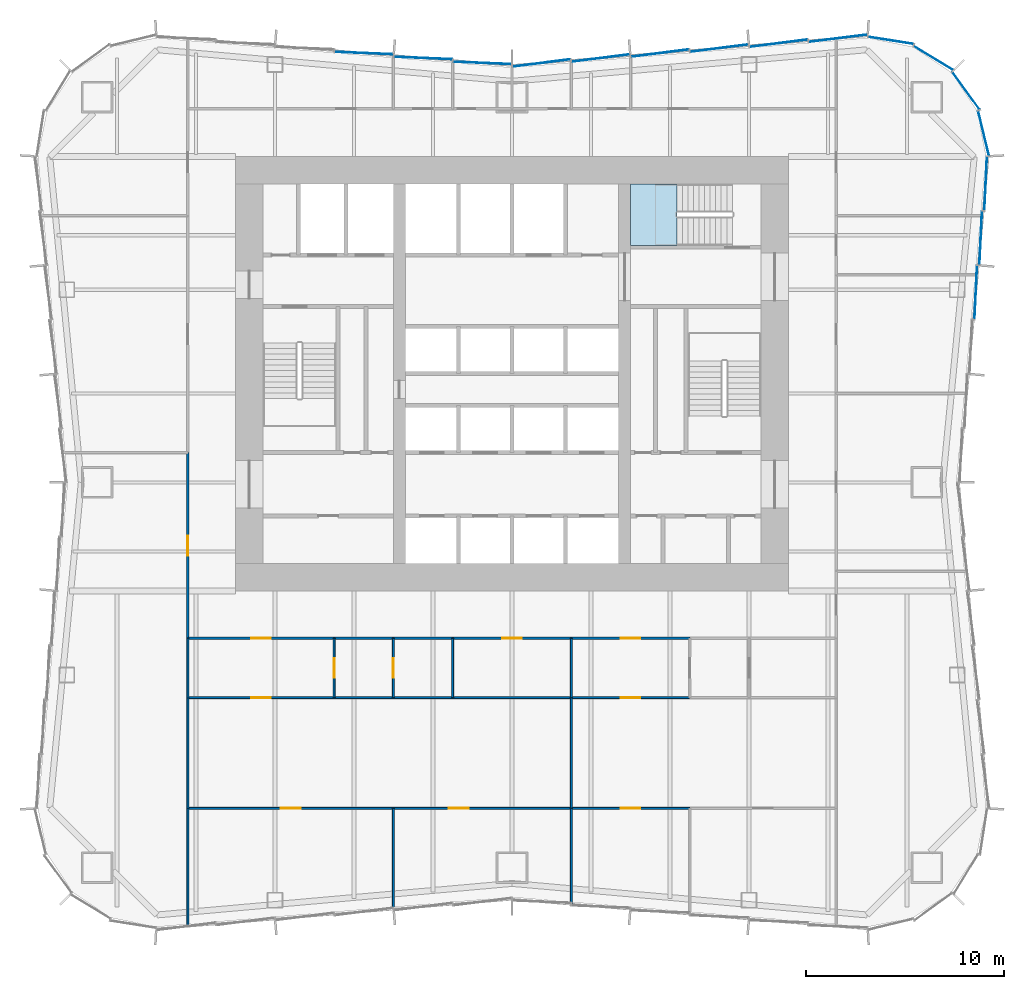
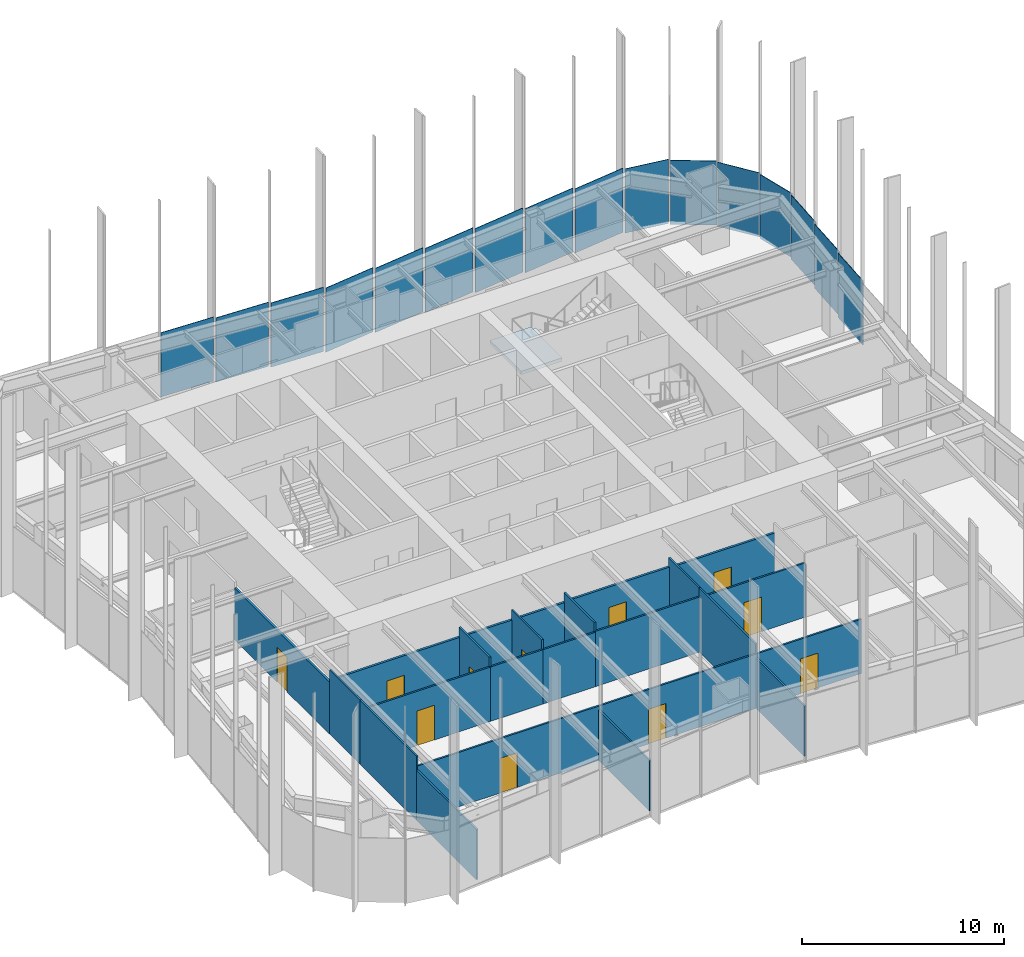
# One storey, part 9 of 13: 24 walls, 16 plates, 11 doors, 1 slab, 11 openings, 4 elements without a shape of their own.
"""IFC4 building model written with IfcOpenShell, lengths in metres."""

from ifc_helpers import new_model, si_unit, direction, frame, frame_2d, origin, origin_2d, place, context, subcontext, project, spatial, polyline, rectangle, outline, extrude, material, layer, layer_set, type_object, element, fill, aggregate, save


model = new_model("IFC4")

# Units and contexts
model_context = context("Model", 3, precision=1e-05, world=origin(), true_north=direction((0.0, 1.0)))
body_context = subcontext(model_context, "Body", "Model", "MODEL_VIEW")
ifc_project = project(units=[si_unit("LENGTHUNIT", "METRE"), si_unit("AREAUNIT", "SQUARE_METRE"), si_unit("VOLUMEUNIT", "CUBIC_METRE"), si_unit("PLANEANGLEUNIT", "RADIAN"), si_unit("MASSUNIT", "GRAM", prefix="KILO")], contexts=[model_context])

# Site, building, storey
site_placement = place(None, origin())
site = spatial("IfcSite", under=ifc_project, at=site_placement, CompositionType="ELEMENT")
building_placement = place(site_placement, origin())
building = spatial("IfcBuilding", under=site, at=building_placement, Name="Verdant Reach Tower", CompositionType="ELEMENT")
storey_placement = place(building_placement, frame((0.0, 0.0, 26.0)))
storey = spatial("IfcBuildingStorey", under=building, at=storey_placement, Name="L05", CompositionType="ELEMENT", Elevation=26.0)

# Stair, slab
ifc_material_1 = material(Name="Concrete C40/50", Category="concrete")
stair_type = type_object("IfcStairType", Name="CO-STAIR", PredefinedType="HALF_TURN_STAIR", material=ifc_material_1)
stair_placement = place(storey_placement, origin())
stair = element("IfcStair", 1, at=stair_placement, inside=storey, type_object=stair_type, Name="L05 Exit stair 3", PredefinedType="HALF_TURN_STAIR")
ifc_layer_1 = layer(ifc_material_1, 0.199951171875)
ifc_layer_set_1 = layer_set([ifc_layer_1], Name="CO-STAIR-LANDING")
slab_type = type_object("IfcSlabType", Name="CO-STAIR-LANDING", PredefinedType="LANDING", material=ifc_layer_set_1)
slab_placement = place(storey_placement, frame((0.0, 0.0, 1.800048828125)))
slab = element("IfcSlab", 2, at=slab_placement, type_object=slab_type, Name="ST-3 landing 1", PredefinedType="LANDING", context=body_context, shape_type="SweptSolid", body=[
    extrude(outline(polyline([(8.35009765625, 37.60009765625), (6.0, 37.60009765625), (6.0, 34.5), (8.35009765625, 34.5), (8.35009765625, 37.60009765625)])), origin(), (0.0, 0.0, 1.0), 0.199951171875),
])
aggregate(stair, [slab])

# Curtain wall, plate
ifc_material_2 = material(Name="Anodised aluminium", Category="aluminium")
curtain_wall_type = type_object("IfcCurtainWallType", Name="EN-CW SYSTEM Z0", PredefinedType="NOTDEFINED", material=ifc_material_2)
curtain_wall_1_placement = place(storey_placement, origin())
curtain_wall_1 = element("IfcCurtainWall", 3, at=curtain_wall_1_placement, inside=storey, type_object=curtain_wall_type, Name="Curtain wall east, L05", PredefinedType="NOTDEFINED")
ifc_material_3 = material(Name="Tinted glass with champagne spandrel", Category="glass")
ifc_layer_2 = layer(ifc_material_3, 0.031982421875)
ifc_layer_set_2 = layer_set([ifc_layer_2], Name="EN-PANEL CHAMPAGNE")
plate_type_1 = type_object("IfcPlateType", Name="EN-PANEL CHAMPAGNE", PredefinedType="CURTAIN_PANEL", material=ifc_layer_set_2)
plate_1_placement = place(storey_placement, frame((23.474609375, 32.115966796875, -0.22998046875), z_axis=(0.0, 0.0, 1.0), x_axis=(0.04875265175, 0.998810882473, 0.0)))
plate_1 = element("IfcPlate", 4, at=plate_1_placement, type_object=plate_type_1, Name="Glass panel east face part 2 4.1, L05", PredefinedType="CURTAIN_PANEL", context=body_context, shape_type="SweptSolid", body=[
    extrude(rectangle(XDim=2.705322265625, YDim=0.031982421875, at=origin_2d()), origin(), (0.0, 0.0, 1.0), 3.8798828125),
])

# Curtain wall, plates
curtain_wall_2_placement = place(storey_placement, origin())
curtain_wall_2 = element("IfcCurtainWall", 5, at=curtain_wall_2_placement, inside=storey, type_object=curtain_wall_type, Name="Curtain wall north-east corner, L05", PredefinedType="NOTDEFINED")
plate_2_placement = place(storey_placement, frame((23.86767578125, 40.169921875, -0.22998046875), z_axis=(0.0, 0.0, 1.0), x_axis=(-0.236346786246, 0.97166876899, 0.0)))
plate_2 = element("IfcPlate", 6, at=plate_2_placement, type_object=plate_type_1, Name="Glass panel north-east corner 1.1, L05", PredefinedType="CURTAIN_PANEL", context=body_context, shape_type="SweptSolid", body=[
    extrude(rectangle(XDim=2.31884765625, YDim=0.031982421875, at=origin_2d()), origin(), (0.0, 0.0, 1.0), 3.8798828125),
])
plate_3_placement = place(storey_placement, frame((22.974609375, 42.32373046875, -0.22998046875), z_axis=(0.0, 0.0, 1.0), x_axis=(-0.589926778461, 0.807456745624, 0.0)))
plate_3 = element("IfcPlate", 7, at=plate_3_placement, type_object=plate_type_1, Name="Glass panel north-east corner 2.1, L05", PredefinedType="CURTAIN_PANEL", context=body_context, shape_type="SweptSolid", body=[
    extrude(rectangle(XDim=2.32421875, YDim=0.031982421875, at=origin_2d()), origin(), (0.0, 0.0, 1.0), 3.8798828125),
])

curtain_wall_3_placement = place(storey_placement, origin())
curtain_wall_3 = element("IfcCurtainWall", 8, at=curtain_wall_3_placement, inside=storey, type_object=curtain_wall_type, Name="Curtain wall north, L05", PredefinedType="NOTDEFINED")
plate_4_placement = place(storey_placement, frame((16.498779296875, 44.974853515625, -0.22998046875), z_axis=(0.0, 0.0, 1.0), x_axis=(-0.992234176789, -0.124383835008, 0.0)))
plate_4 = element("IfcPlate", 9, at=plate_4_placement, type_object=plate_type_1, Name="Glass panel north face part 1 1.1, L05", PredefinedType="CURTAIN_PANEL", context=body_context, shape_type="SweptSolid", body=[
    extrude(rectangle(XDim=2.96826171875, YDim=0.031982421875, at=origin_2d()), origin(), (0.0, 0.0, 1.0), 3.8798828125),
])
plate_5_placement = place(storey_placement, frame((-1.495849609375, 43.724853515625, -0.22998046875), z_axis=(0.0, 0.0, 1.0), x_axis=(-0.999144450138, 0.041356592674, 0.0)))
plate_5 = element("IfcPlate", 10, at=plate_5_placement, type_object=plate_type_1, Name="Glass panel north face part 2 1.1, L05", PredefinedType="CURTAIN_PANEL", context=body_context, shape_type="SweptSolid", body=[
    extrude(rectangle(XDim=2.946044921875, YDim=0.031982421875, at=origin_2d()), origin(), (0.0, 0.0, 1.0), 3.8798828125),
])
plate_6_placement = place(storey_placement, frame((-4.49169921875, 43.974609375, -0.22998046875), z_axis=(0.0, 0.0, 1.0), x_axis=(-0.999149202059, 0.041241629766, 0.0)))
plate_6 = element("IfcPlate", 11, at=plate_6_placement, type_object=plate_type_1, Name="Glass panel north face part 2 2.1, L05", PredefinedType="CURTAIN_PANEL", context=body_context, shape_type="SweptSolid", body=[
    extrude(rectangle(XDim=2.954345703125, YDim=0.031982421875, at=origin_2d()), origin(), (0.0, 0.0, 1.0), 3.8798828125),
])

# Plate
ifc_material_4 = material(Name="Tinted glass with copper spandrel", Category="glass")
ifc_layer_3 = layer(ifc_material_4, 0.031982421875)
ifc_layer_set_3 = layer_set([ifc_layer_3], Name="EN-PANEL COPPER")
plate_type_2 = type_object("IfcPlateType", Name="EN-PANEL COPPER", PredefinedType="CURTAIN_PANEL", material=ifc_layer_set_3)
plate_7_placement = place(storey_placement, frame((23.724609375, 34.865966796875, -0.22998046875), z_axis=(0.0, 0.0, 1.0), x_axis=(0.04875265175, 0.998810882473, 0.0)))
plate_7 = element("IfcPlate", 12, at=plate_7_placement, type_object=plate_type_2, Name="Glass panel east face part 2 5.1, L05", PredefinedType="CURTAIN_PANEL", context=body_context, shape_type="SweptSolid", body=[
    extrude(rectangle(XDim=2.705322265625, YDim=0.031982421875, at=origin_2d()), origin(), (0.0, 0.0, 1.0), 3.8798828125),
])

plate_8_placement = place(storey_placement, frame((23.974609375, 37.623046875, -0.22998046875), z_axis=(0.0, 0.0, 1.0), x_axis=(0.048382779248, 0.998828867561, 0.0)))
plate_8 = element("IfcPlate", 13, at=plate_8_placement, type_object=plate_type_2, Name="Glass panel east face part 2 6.1, L05", PredefinedType="CURTAIN_PANEL", context=body_context, shape_type="SweptSolid", body=[
    extrude(rectangle(XDim=2.7197265625, YDim=0.031982421875, at=origin_2d()), origin(), (0.0, 0.0, 1.0), 3.8798828125),
])

aggregate(curtain_wall_1, [plate_1, plate_7, plate_8])

plate_9_placement = place(storey_placement, frame((21.32373046875, 43.974609375, -0.22998046875), z_axis=(0.0, 0.0, 1.0), x_axis=(-0.853988681713, 0.520291583159, 0.0)))
plate_9 = element("IfcPlate", 14, at=plate_9_placement, type_object=plate_type_2, Name="Glass panel north-east corner 3.1, L05", PredefinedType="CURTAIN_PANEL", context=body_context, shape_type="SweptSolid", body=[
    extrude(rectangle(XDim=2.32421875, YDim=0.031982421875, at=origin_2d()), origin(), (0.0, 0.0, 1.0), 3.8798828125),
])

plate_10_placement = place(storey_placement, frame((19.169921875, 44.86767578125, -0.22998046875), z_axis=(0.0, 0.0, 1.0), x_axis=(-0.98803452381, 0.154232875093, 0.0)))
plate_10 = element("IfcPlate", 15, at=plate_10_placement, type_object=plate_type_2, Name="Glass panel north-east corner 4.1, L05", PredefinedType="CURTAIN_PANEL", context=body_context, shape_type="SweptSolid", body=[
    extrude(rectangle(XDim=2.318603515625, YDim=0.031982421875, at=origin_2d()), origin(), (0.0, 0.0, 1.0), 3.8798828125),
])

aggregate(curtain_wall_2, [plate_2, plate_3, plate_9, plate_10])

plate_11_placement = place(storey_placement, frame((13.49169921875, 44.724609375, -0.22998046875), z_axis=(0.0, 0.0, 1.0), x_axis=(-0.992194034542, -0.124703639961, 0.0)))
plate_11 = element("IfcPlate", 16, at=plate_11_placement, type_object=plate_type_2, Name="Glass panel north face part 1 2.1, L05", PredefinedType="CURTAIN_PANEL", context=body_context, shape_type="SweptSolid", body=[
    extrude(rectangle(XDim=2.954345703125, YDim=0.031982421875, at=origin_2d()), origin(), (0.0, 0.0, 1.0), 3.8798828125),
])

plate_12_placement = place(storey_placement, frame((10.49169921875, 44.474609375, -0.22998046875), z_axis=(0.0, 0.0, 1.0), x_axis=(-0.992194034542, -0.124703639961, 0.0)))
plate_12 = element("IfcPlate", 17, at=plate_12_placement, type_object=plate_type_2, Name="Glass panel north face part 1 3.1, L05", PredefinedType="CURTAIN_PANEL", context=body_context, shape_type="SweptSolid", body=[
    extrude(rectangle(XDim=2.954345703125, YDim=0.031982421875, at=origin_2d()), origin(), (0.0, 0.0, 1.0), 3.8798828125),
])

plate_13_placement = place(storey_placement, frame((-7.49169921875, 44.224609375, -0.22998046875), z_axis=(0.0, 0.0, 1.0), x_axis=(-0.999149202059, 0.041241629766, 0.0)))
plate_13 = element("IfcPlate", 18, at=plate_13_placement, type_object=plate_type_2, Name="Glass panel north face part 2 3.1, L05", PredefinedType="CURTAIN_PANEL", context=body_context, shape_type="SweptSolid", body=[
    extrude(rectangle(XDim=2.954345703125, YDim=0.031982421875, at=origin_2d()), origin(), (0.0, 0.0, 1.0), 3.8798828125),
])

ifc_material_5 = material(Name="Tinted glass with dark bronze spandrel", Category="glass")
ifc_layer_4 = layer(ifc_material_5, 0.031982421875)
ifc_layer_set_4 = layer_set([ifc_layer_4], Name="EN-PANEL DARK")
plate_type_3 = type_object("IfcPlateType", Name="EN-PANEL DARK", PredefinedType="CURTAIN_PANEL", material=ifc_layer_set_4)
plate_14_placement = place(storey_placement, frame((7.49169921875, 44.224609375, -0.22998046875), z_axis=(0.0, 0.0, 1.0), x_axis=(-0.992194034542, -0.124703639961, 0.0)))
plate_14 = element("IfcPlate", 19, at=plate_14_placement, type_object=plate_type_3, Name="Glass panel north face part 1 4.1, L05", PredefinedType="CURTAIN_PANEL", context=body_context, shape_type="SweptSolid", body=[
    extrude(rectangle(XDim=2.954345703125, YDim=0.031982421875, at=origin_2d()), origin(), (0.0, 0.0, 1.0), 3.8798828125),
])

plate_15_placement = place(storey_placement, frame((4.49169921875, 43.974609375, -0.22998046875), z_axis=(0.0, 0.0, 1.0), x_axis=(-0.992194034542, -0.124703639961, 0.0)))
plate_15 = element("IfcPlate", 20, at=plate_15_placement, type_object=plate_type_3, Name="Glass panel north face part 1 5.1, L05", PredefinedType="CURTAIN_PANEL", context=body_context, shape_type="SweptSolid", body=[
    extrude(rectangle(XDim=2.954345703125, YDim=0.031982421875, at=origin_2d()), origin(), (0.0, 0.0, 1.0), 3.8798828125),
])

plate_16_placement = place(storey_placement, frame((1.495849609375, 43.724853515625, -0.22998046875), z_axis=(0.0, 0.0, 1.0), x_axis=(-0.992179679439, -0.124817802047, 0.0)))
plate_16 = element("IfcPlate", 21, at=plate_16_placement, type_object=plate_type_3, Name="Glass panel north face part 1 6.1, L05", PredefinedType="CURTAIN_PANEL", context=body_context, shape_type="SweptSolid", body=[
    extrude(rectangle(XDim=2.946044921875, YDim=0.031982421875, at=origin_2d()), origin(), (0.0, 0.0, 1.0), 3.8798828125),
])

aggregate(curtain_wall_3, [plate_4, plate_11, plate_12, plate_14, plate_15, plate_16, plate_5, plate_6, plate_13])

# Wall, opening, door
ifc_material_6 = material(Name="Gypsum board on steel studs", Category="steel")
ifc_layer_5 = layer(ifc_material_6, 0.10009765625)
ifc_layer_set_5 = layer_set([ifc_layer_5], Name="FL-W1 Partition 100")
wall_type_1 = type_object("IfcWallType", Name="FL-W1 Partition 100", PredefinedType="PARTITIONING", material=ifc_layer_set_5)
wall_1_placement = place(storey_placement, frame((-9.0, 14.60009765625, 0.0), z_axis=(0.0, 0.0, 1.0), x_axis=(0.0, -1.0, 0.0)))
wall_1 = element("IfcWall", 22, at=wall_1_placement, inside=storey, type_object=wall_type_1, Name="Partition 05.22", PredefinedType="PARTITIONING", context=body_context, shape_type="SweptSolid", body=[
    extrude(rectangle(XDim=3.0, YDim=0.10009765625, at=frame_2d((1.5, 0.0))), origin(), (0.0, 0.0, 1.0), 3.8701171875),
])
opening_1_placement = place(wall_1_placement, frame((1.0, 0.0, 0.0)))
opening_1 = element("IfcOpeningElement", 23, at=opening_1_placement, cuts=wall_1, Name="Opening D3", PredefinedType="OPENING", context=body_context, shape_type="SweptSolid", body=[
    extrude(rectangle(XDim=1.0, YDim=2.10009765625, at=frame_2d((0.5, 1.050048828125))), frame((0.0, 0.06005859375, 0.0), z_axis=(0.0, -1.0, 0.0), x_axis=(1.0, 0.0, 0.0)), (0.0, 0.0, 1.0), 0.1201171875),
])
ifc_material_7 = material(Name="Painted timber door leaf", Category="wood")
door_type_1 = type_object("IfcDoorType", Name="FL-D3 Door 1000x2100", OperationType="NOTDEFINED", PredefinedType="DOOR", material=ifc_material_7)
door_1_placement = place(opening_1_placement, origin())
door_1 = element("IfcDoor", 24, at=door_1_placement, inside=storey, type_object=door_type_1, Name="Door 05-018", OperationType="SINGLE_SWING_RIGHT", OverallHeight=2.10009765625, OverallWidth=1.0, PredefinedType="DOOR", context=body_context, shape_type="SweptSolid", body=[
    extrude(rectangle(XDim=1.0, YDim=2.10009765625, at=frame_2d((0.5, 1.050048828125))), frame((0.0, 0.02490234375, 0.0), z_axis=(0.0, -1.0, 0.0), x_axis=(1.0, 0.0, 0.0)), (0.0, 0.0, 1.0), 0.050048828125),
])
fill(opening_1, door_1)

wall_2_placement = place(storey_placement, frame((-8.99609375, 11.60009765625, 0.0), z_axis=(0.0, 0.0, 1.0), x_axis=(-1.0, 0.0, 0.0)))
wall_2 = element("IfcWall", 25, at=wall_2_placement, inside=storey, type_object=wall_type_1, Name="Partition 05.23", PredefinedType="PARTITIONING", context=body_context, shape_type="SweptSolid", body=[
    extrude(rectangle(XDim=7.40380859375, YDim=0.10009765625, at=frame_2d((3.701904296875, 0.0))), origin(), (0.0, 0.0, 1.0), 3.2900390625),
])
opening_2_placement = place(wall_2_placement, frame((3.201904296875, 0.0, 0.0)))
opening_2 = element("IfcOpeningElement", 26, at=opening_2_placement, cuts=wall_2, Name="Opening D3", PredefinedType="OPENING", context=body_context, shape_type="SweptSolid", body=[
    extrude(rectangle(XDim=1.0, YDim=2.10009765625, at=frame_2d((0.5, 1.050048828125))), frame((0.0, 0.06005859375, 0.0), z_axis=(0.0, -1.0, 0.0), x_axis=(1.0, 0.0, 0.0)), (0.0, 0.0, 1.0), 0.1201171875),
])
door_2_placement = place(opening_2_placement, origin())
door_2 = element("IfcDoor", 27, at=door_2_placement, inside=storey, type_object=door_type_1, Name="Door 05-019", OperationType="SINGLE_SWING_LEFT", OverallHeight=2.10009765625, OverallWidth=1.0, PredefinedType="DOOR", context=body_context, shape_type="SweptSolid", body=[
    extrude(rectangle(XDim=1.0, YDim=2.10009765625, at=frame_2d((0.5, 1.050048828125))), frame((0.0, 0.02490234375, 0.0), z_axis=(0.0, -1.0, 0.0), x_axis=(1.0, 0.0, 0.0)), (0.0, 0.0, 1.0), 0.050048828125),
])
fill(opening_2, door_2)

# Wall
wall_3_placement = place(storey_placement, frame((-16.39990234375, 14.60400390625, 0.0), z_axis=(0.0, 0.0, 1.0), x_axis=(0.0, -1.0, 0.0)))
element("IfcWall", 28, at=wall_3_placement, inside=storey, type_object=wall_type_1, Name="Partition 05.24", PredefinedType="PARTITIONING", context=body_context, shape_type="SweptSolid", body=[
    extrude(rectangle(XDim=3.008056640625, YDim=0.10009765625, at=frame_2d((1.50390625, 0.0))), origin(), (0.0, 0.0, 1.0), 3.8701171875),
])

# Wall, opening, door
wall_4_placement = place(storey_placement, frame((-6.0, 14.60009765625, 0.0), z_axis=(0.0, 0.0, 1.0), x_axis=(0.0, -1.0, 0.0)))
wall_4 = element("IfcWall", 29, at=wall_4_placement, inside=storey, type_object=wall_type_1, Name="Partition 05.25", PredefinedType="PARTITIONING", context=body_context, shape_type="SweptSolid", body=[
    extrude(rectangle(XDim=3.0, YDim=0.10009765625, at=frame_2d((1.5, 0.0))), origin(), (0.0, 0.0, 1.0), 3.8701171875),
])
opening_3_placement = place(wall_4_placement, frame((1.0, 0.0, 0.0)))
opening_3 = element("IfcOpeningElement", 30, at=opening_3_placement, cuts=wall_4, Name="Opening D3", PredefinedType="OPENING", context=body_context, shape_type="SweptSolid", body=[
    extrude(rectangle(XDim=1.0, YDim=2.10009765625, at=frame_2d((0.5, 1.050048828125))), frame((0.0, 0.06005859375, 0.0), z_axis=(0.0, -1.0, 0.0), x_axis=(1.0, 0.0, 0.0)), (0.0, 0.0, 1.0), 0.1201171875),
])
door_3_placement = place(opening_3_placement, origin())
door_3 = element("IfcDoor", 31, at=door_3_placement, inside=storey, type_object=door_type_1, Name="Door 05-020", OperationType="SINGLE_SWING_RIGHT", OverallHeight=2.10009765625, OverallWidth=1.0, PredefinedType="DOOR", context=body_context, shape_type="SweptSolid", body=[
    extrude(rectangle(XDim=1.0, YDim=2.10009765625, at=frame_2d((0.5, 1.050048828125))), frame((0.0, 0.02490234375, 0.0), z_axis=(0.0, -1.0, 0.0), x_axis=(1.0, 0.0, 0.0)), (0.0, 0.0, 1.0), 0.050048828125),
])
fill(opening_3, door_3)

# Walls
wall_5_placement = place(storey_placement, frame((-9.00390625, 11.60009765625, 0.0), z_axis=(0.0, 0.0, 1.0), x_axis=(1.0, 0.0, 0.0)))
element("IfcWall", 32, at=wall_5_placement, inside=storey, type_object=wall_type_1, Name="Partition 05.26", PredefinedType="PARTITIONING", context=body_context, shape_type="SweptSolid", body=[
    extrude(rectangle(XDim=3.0078125, YDim=0.10009765625, at=frame_2d((1.50390625, 0.0))), origin(), (0.0, 0.0, 1.0), 3.2900390625),
])
wall_6_placement = place(storey_placement, frame((-3.0, 11.60009765625, 0.0), z_axis=(0.0, 0.0, 1.0), x_axis=(0.0, 1.0, 0.0)))
element("IfcWall", 33, at=wall_6_placement, inside=storey, type_object=wall_type_1, Name="Partition 05.27", PredefinedType="PARTITIONING", context=body_context, shape_type="SweptSolid", body=[
    extrude(rectangle(XDim=3.0, YDim=0.10009765625, at=frame_2d((1.5, 0.0))), origin(), (0.0, 0.0, 1.0), 3.8701171875),
])
wall_7_placement = place(storey_placement, frame((-6.00390625, 11.60009765625, 0.0), z_axis=(0.0, 0.0, 1.0), x_axis=(1.0, 0.0, 0.0)))
element("IfcWall", 34, at=wall_7_placement, inside=storey, type_object=wall_type_1, Name="Partition 05.28", PredefinedType="PARTITIONING", context=body_context, shape_type="SweptSolid", body=[
    extrude(rectangle(XDim=3.0078125, YDim=0.10009765625, at=frame_2d((1.50390625, 0.0))), origin(), (0.0, 0.0, 1.0), 3.2900390625),
])
wall_8_placement = place(storey_placement, frame((-3.00390625, 11.60009765625, 0.0), z_axis=(0.0, 0.0, 1.0), x_axis=(1.0, 0.0, 0.0)))
element("IfcWall", 35, at=wall_8_placement, inside=storey, type_object=wall_type_1, Name="Partition 05.29", PredefinedType="PARTITIONING", context=body_context, shape_type="SweptSolid", body=[
    extrude(rectangle(XDim=6.00390625, YDim=0.10009765625, at=frame_2d((3.001953125, 0.0))), origin(), (0.0, 0.0, 1.0), 3.340087890625),
])
wall_9_placement = place(storey_placement, frame((3.0, 11.60009765625, 0.0), z_axis=(0.0, 0.0, 1.0), x_axis=(0.0, 1.0, 0.0)))
element("IfcWall", 36, at=wall_9_placement, inside=storey, type_object=wall_type_1, Name="Partition 05.30", PredefinedType="PARTITIONING", context=body_context, shape_type="SweptSolid", body=[
    extrude(rectangle(XDim=3.0, YDim=0.10009765625, at=frame_2d((1.5, 0.0))), origin(), (0.0, 0.0, 1.0), 3.8701171875),
])

# Wall, opening, door
wall_10_placement = place(storey_placement, frame((-6.0, 6.0, 0.0), z_axis=(0.0, 0.0, 1.0), x_axis=(-1.0, 0.0, 0.0)))
wall_10 = element("IfcWall", 37, at=wall_10_placement, inside=storey, type_object=wall_type_1, Name="Partition 05.31", PredefinedType="PARTITIONING", context=body_context, shape_type="SweptSolid", body=[
    extrude(rectangle(XDim=10.39990234375, YDim=0.10009765625, at=frame_2d((5.199951171875, 0.0))), origin(), (0.0, 0.0, 1.0), 3.2900390625),
])
opening_4_placement = place(wall_10_placement, frame((4.699951171875, 0.0, 0.0)))
opening_4 = element("IfcOpeningElement", 38, at=opening_4_placement, cuts=wall_10, Name="Opening D3", PredefinedType="OPENING", context=body_context, shape_type="SweptSolid", body=[
    extrude(rectangle(XDim=1.0, YDim=2.10009765625, at=frame_2d((0.5, 1.050048828125))), frame((0.0, 0.06005859375, 0.0), z_axis=(0.0, -1.0, 0.0), x_axis=(1.0, 0.0, 0.0)), (0.0, 0.0, 1.0), 0.1201171875),
])
door_4_placement = place(opening_4_placement, origin())
door_4 = element("IfcDoor", 39, at=door_4_placement, inside=storey, type_object=door_type_1, Name="Door 05-021", OperationType="SINGLE_SWING_LEFT", OverallHeight=2.10009765625, OverallWidth=1.0, PredefinedType="DOOR", context=body_context, shape_type="SweptSolid", body=[
    extrude(rectangle(XDim=1.0, YDim=2.10009765625, at=frame_2d((0.5, 1.050048828125))), frame((0.0, 0.02490234375, 0.0), z_axis=(0.0, -1.0, 0.0), x_axis=(1.0, 0.0, 0.0)), (0.0, 0.0, 1.0), 0.050048828125),
])
fill(opening_4, door_4)

wall_11_placement = place(storey_placement, frame((3.0, 6.0, 0.0), z_axis=(0.0, 0.0, 1.0), x_axis=(-1.0, 0.0, 0.0)))
wall_11 = element("IfcWall", 40, at=wall_11_placement, inside=storey, type_object=wall_type_1, Name="Partition 05.32", PredefinedType="PARTITIONING", context=body_context, shape_type="SweptSolid", body=[
    extrude(rectangle(XDim=9.0, YDim=0.10009765625, at=frame_2d((4.5, 0.0))), origin(), (0.0, 0.0, 1.0), 3.2900390625),
])
opening_5_placement = place(wall_11_placement, frame((5.199951171875, 0.0, 0.0)))
opening_5 = element("IfcOpeningElement", 41, at=opening_5_placement, cuts=wall_11, Name="Opening D3", PredefinedType="OPENING", context=body_context, shape_type="SweptSolid", body=[
    extrude(rectangle(XDim=1.0, YDim=2.10009765625, at=frame_2d((0.5, 1.050048828125))), frame((0.0, 0.06005859375, 0.0), z_axis=(0.0, -1.0, 0.0), x_axis=(1.0, 0.0, 0.0)), (0.0, 0.0, 1.0), 0.1201171875),
])
door_5_placement = place(opening_5_placement, origin())
door_5 = element("IfcDoor", 42, at=door_5_placement, inside=storey, type_object=door_type_1, Name="Door 05-022", OperationType="SINGLE_SWING_RIGHT", OverallHeight=2.10009765625, OverallWidth=1.0, PredefinedType="DOOR", context=body_context, shape_type="SweptSolid", body=[
    extrude(rectangle(XDim=1.0, YDim=2.10009765625, at=frame_2d((0.5, 1.050048828125))), frame((0.0, 0.02490234375, 0.0), z_axis=(0.0, -1.0, 0.0), x_axis=(1.0, 0.0, 0.0)), (0.0, 0.0, 1.0), 0.050048828125),
])
fill(opening_5, door_5)

# Walls
wall_12_placement = place(storey_placement, frame((3.0, 6.0, 0.0), z_axis=(0.0, 0.0, 1.0), x_axis=(0.0, 1.0, 0.0)))
element("IfcWall", 43, at=wall_12_placement, inside=storey, type_object=wall_type_1, Name="Partition 05.33", PredefinedType="PARTITIONING", context=body_context, shape_type="SweptSolid", body=[
    extrude(rectangle(XDim=5.60009765625, YDim=0.10009765625, at=frame_2d((2.800048828125, 0.0))), origin(), (0.0, 0.0, 1.0), 3.8701171875),
])
wall_13_placement = place(storey_placement, frame((-16.39990234375, 11.60400390625, 0.0), z_axis=(0.0, 0.0, 1.0), x_axis=(0.0, -1.0, 0.0)))
element("IfcWall", 44, at=wall_13_placement, inside=storey, type_object=wall_type_1, Name="Partition 05.34", PredefinedType="PARTITIONING", context=body_context, shape_type="SweptSolid", body=[
    extrude(rectangle(XDim=5.60791015625, YDim=0.10009765625, at=frame_2d((2.803955078125, 0.0))), origin(), (0.0, 0.0, 1.0), 3.8701171875),
])
wall_14_placement = place(storey_placement, frame((-6.0, 0.919921875, 0.0), z_axis=(0.0, 0.0, 1.0), x_axis=(0.0, 1.0, 0.0)))
element("IfcWall", 45, at=wall_14_placement, inside=storey, type_object=wall_type_1, Name="Partition 05.35", PredefinedType="PARTITIONING", context=body_context, shape_type="SweptSolid", body=[
    extrude(rectangle(XDim=5.080078125, YDim=0.10009765625, at=frame_2d((2.5400390625, 0.0))), origin(), (0.0, 0.0, 1.0), 3.0400390625),
])
wall_15_placement = place(storey_placement, frame((-16.39990234375, 6.00390625, 0.0), z_axis=(0.0, 0.0, 1.0), x_axis=(0.0, -1.0, 0.0)))
element("IfcWall", 46, at=wall_15_placement, inside=storey, type_object=wall_type_1, Name="Partition 05.36", PredefinedType="PARTITIONING", context=body_context, shape_type="SweptSolid", body=[
    extrude(rectangle(XDim=5.95068359375, YDim=0.10009765625, at=frame_2d((2.975341796875, 0.0))), origin(), (0.0, 0.0, 1.0), 3.0400390625),
])
wall_16_placement = place(storey_placement, frame((3.0, 1.169921875, 0.0), z_axis=(0.0, 0.0, 1.0), x_axis=(0.0, 1.0, 0.0)))
element("IfcWall", 47, at=wall_16_placement, inside=storey, type_object=wall_type_1, Name="Partition 05.37", PredefinedType="PARTITIONING", context=body_context, shape_type="SweptSolid", body=[
    extrude(rectangle(XDim=4.830078125, YDim=0.10009765625, at=frame_2d((2.4150390625, 0.0))), origin(), (0.0, 0.0, 1.0), 3.0400390625),
])

# Wall, opening, door
wall_17_placement = place(storey_placement, frame((9.00390625, 11.60009765625, 0.0), z_axis=(0.0, 0.0, 1.0), x_axis=(-1.0, 0.0, 0.0)))
wall_17 = element("IfcWall", 48, at=wall_17_placement, inside=storey, type_object=wall_type_1, Name="Partition 05.39", PredefinedType="PARTITIONING", context=body_context, shape_type="SweptSolid", body=[
    extrude(rectangle(XDim=6.00390625, YDim=0.10009765625, at=frame_2d((3.001953125, 0.0))), origin(), (0.0, 0.0, 1.0), 3.2900390625),
])
opening_6_placement = place(wall_17_placement, frame((2.501953125, 0.0, 0.0)))
opening_6 = element("IfcOpeningElement", 49, at=opening_6_placement, cuts=wall_17, Name="Opening D3", PredefinedType="OPENING", context=body_context, shape_type="SweptSolid", body=[
    extrude(rectangle(XDim=1.0, YDim=2.10009765625, at=frame_2d((0.5, 1.050048828125))), frame((0.0, 0.06005859375, 0.0), z_axis=(0.0, -1.0, 0.0), x_axis=(1.0, 0.0, 0.0)), (0.0, 0.0, 1.0), 0.1201171875),
])
door_6_placement = place(opening_6_placement, origin())
door_6 = element("IfcDoor", 50, at=door_6_placement, inside=storey, type_object=door_type_1, Name="Door 05-024", OperationType="SINGLE_SWING_RIGHT", OverallHeight=2.10009765625, OverallWidth=1.0, PredefinedType="DOOR", context=body_context, shape_type="SweptSolid", body=[
    extrude(rectangle(XDim=1.0, YDim=2.10009765625, at=frame_2d((0.5, 1.050048828125))), frame((0.0, 0.02490234375, 0.0), z_axis=(0.0, -1.0, 0.0), x_axis=(1.0, 0.0, 0.0)), (0.0, 0.0, 1.0), 0.050048828125),
])
fill(opening_6, door_6)

wall_18_placement = place(storey_placement, frame((9.0, 6.0, 0.0), z_axis=(0.0, 0.0, 1.0), x_axis=(-1.0, 0.0, 0.0)))
wall_18 = element("IfcWall", 51, at=wall_18_placement, inside=storey, type_object=wall_type_1, Name="Partition 05.44", PredefinedType="PARTITIONING", context=body_context, shape_type="SweptSolid", body=[
    extrude(rectangle(XDim=6.0, YDim=0.10009765625, at=frame_2d((3.0, 0.0))), origin(), (0.0, 0.0, 1.0), 3.2900390625),
])
opening_7_placement = place(wall_18_placement, frame((2.5, 0.0, 0.0)))
opening_7 = element("IfcOpeningElement", 52, at=opening_7_placement, cuts=wall_18, Name="Opening D3", PredefinedType="OPENING", context=body_context, shape_type="SweptSolid", body=[
    extrude(rectangle(XDim=1.0, YDim=2.10009765625, at=frame_2d((0.5, 1.050048828125))), frame((0.0, 0.06005859375, 0.0), z_axis=(0.0, -1.0, 0.0), x_axis=(1.0, 0.0, 0.0)), (0.0, 0.0, 1.0), 0.1201171875),
])
door_7_placement = place(opening_7_placement, origin())
door_7 = element("IfcDoor", 53, at=door_7_placement, inside=storey, type_object=door_type_1, Name="Door 05-026", OperationType="SINGLE_SWING_RIGHT", OverallHeight=2.10009765625, OverallWidth=1.0, PredefinedType="DOOR", context=body_context, shape_type="SweptSolid", body=[
    extrude(rectangle(XDim=1.0, YDim=2.10009765625, at=frame_2d((0.5, 1.050048828125))), frame((0.0, 0.02490234375, 0.0), z_axis=(0.0, -1.0, 0.0), x_axis=(1.0, 0.0, 0.0)), (0.0, 0.0, 1.0), 0.050048828125),
])
fill(opening_7, door_7)

ifc_material_8 = material(Name="Gypsum board on steel studs, fire rated", Category="steel")
ifc_layer_6 = layer(ifc_material_8, 0.125)
ifc_layer_set_6 = layer_set([ifc_layer_6], Name="FL-W2 Corridor wall 125")
wall_type_2 = type_object("IfcWallType", Name="FL-W2 Corridor wall 125", PredefinedType="PARTITIONING", material=ifc_layer_set_6)
wall_19_placement = place(storey_placement, frame((-9.0, 14.60009765625, 0.0), z_axis=(0.0, 0.0, 1.0), x_axis=(-1.0, 0.0, 0.0)))
wall_19 = element("IfcWall", 54, at=wall_19_placement, inside=storey, type_object=wall_type_2, Name="Partition 05.01", PredefinedType="PARTITIONING", context=body_context, shape_type="SweptSolid", body=[
    extrude(rectangle(XDim=7.39990234375, YDim=0.125, at=frame_2d((3.699951171875, 0.0))), origin(), (0.0, 0.0, 1.0), 3.2900390625),
])
opening_8_placement = place(wall_19_placement, frame((3.199951171875, 0.0, 0.0)))
opening_8 = element("IfcOpeningElement", 55, at=opening_8_placement, cuts=wall_19, Name="Opening D2", PredefinedType="OPENING", context=body_context, shape_type="SweptSolid", body=[
    extrude(rectangle(XDim=1.0, YDim=2.10009765625, at=frame_2d((0.5, 1.050048828125))), frame((0.0, 0.072509765625, 0.0), z_axis=(0.0, -1.0, 0.0), x_axis=(1.0, 0.0, 0.0)), (0.0, 0.0, 1.0), 0.14501953125),
])
ifc_material_9 = material(Name="Timber door leaf, fire rated", Category="wood")
door_type_2 = type_object("IfcDoorType", Name="FL-D2 Entrance door 1000x2100 FD30", OperationType="NOTDEFINED", PredefinedType="DOOR", material=ifc_material_9)
door_8_placement = place(opening_8_placement, origin())
door_8 = element("IfcDoor", 56, at=door_8_placement, inside=storey, type_object=door_type_2, Name="Door 05-001", OperationType="SINGLE_SWING_LEFT", OverallHeight=2.10009765625, OverallWidth=1.0, PredefinedType="DOOR", context=body_context, shape_type="SweptSolid", body=[
    extrude(rectangle(XDim=1.0, YDim=2.10009765625, at=frame_2d((0.5, 1.050048828125))), frame((0.0, 0.02490234375, 0.0), z_axis=(0.0, -1.0, 0.0), x_axis=(1.0, 0.0, 0.0)), (0.0, 0.0, 1.0), 0.050048828125),
])
fill(opening_8, door_8)

# Walls
for number, where, z_axis, x_axis, name in (
    (57, (-9.0, 14.60009765625, 0.0), (0.0, 0.0, 1.0), (1.0, 0.0, 0.0), "Partition 05.02"),
    (58, (-6.0, 14.60009765625, 0.0), (0.0, 0.0, 1.0), (1.0, 0.0, 0.0), "Partition 05.03"),
):
    element("IfcWall", number, at=place(storey_placement, frame(where, z_axis=z_axis, x_axis=x_axis)), inside=storey, type_object=wall_type_2, Name=name, PredefinedType="PARTITIONING", context=body_context, shape_type="SweptSolid", body=[
        extrude(rectangle(XDim=3.0, YDim=0.125, at=frame_2d((1.5, 0.0))), origin(), (0.0, 0.0, 1.0), 3.2900390625),
    ])

# Wall, opening, door
wall_20_placement = place(storey_placement, frame((3.0, 14.60009765625, 0.0), z_axis=(0.0, 0.0, 1.0), x_axis=(-1.0, 0.0, 0.0)))
wall_20 = element("IfcWall", 59, at=wall_20_placement, inside=storey, type_object=wall_type_2, Name="Partition 05.04", PredefinedType="PARTITIONING", context=body_context, shape_type="SweptSolid", body=[
    extrude(rectangle(XDim=6.0, YDim=0.125, at=frame_2d((3.0, 0.0))), origin(), (0.0, 0.0, 1.0), 3.340087890625),
])
opening_9_placement = place(wall_20_placement, frame((2.5, 0.0, 0.0)))
opening_9 = element("IfcOpeningElement", 60, at=opening_9_placement, cuts=wall_20, Name="Opening D2", PredefinedType="OPENING", context=body_context, shape_type="SweptSolid", body=[
    extrude(rectangle(XDim=1.0, YDim=2.10009765625, at=frame_2d((0.5, 1.050048828125))), frame((0.0, 0.072509765625, 0.0), z_axis=(0.0, -1.0, 0.0), x_axis=(1.0, 0.0, 0.0)), (0.0, 0.0, 1.0), 0.14501953125),
])
door_9_placement = place(opening_9_placement, origin())
door_9 = element("IfcDoor", 61, at=door_9_placement, inside=storey, type_object=door_type_2, Name="Door 05-002", OperationType="SINGLE_SWING_RIGHT", OverallHeight=2.10009765625, OverallWidth=1.0, PredefinedType="DOOR", context=body_context, shape_type="SweptSolid", body=[
    extrude(rectangle(XDim=1.0, YDim=2.10009765625, at=frame_2d((0.5, 1.050048828125))), frame((0.0, 0.02490234375, 0.0), z_axis=(0.0, -1.0, 0.0), x_axis=(1.0, 0.0, 0.0)), (0.0, 0.0, 1.0), 0.050048828125),
])
fill(opening_9, door_9)

wall_21_placement = place(storey_placement, frame((9.0, 14.60009765625, 0.0), z_axis=(0.0, 0.0, 1.0), x_axis=(-1.0, 0.0, 0.0)))
wall_21 = element("IfcWall", 62, at=wall_21_placement, inside=storey, type_object=wall_type_2, Name="Partition 05.05", PredefinedType="PARTITIONING", context=body_context, shape_type="SweptSolid", body=[
    extrude(rectangle(XDim=6.0, YDim=0.125, at=frame_2d((3.0, 0.0))), origin(), (0.0, 0.0, 1.0), 3.2900390625),
])
opening_10_placement = place(wall_21_placement, frame((2.5, 0.0, 0.0)))
opening_10 = element("IfcOpeningElement", 63, at=opening_10_placement, cuts=wall_21, Name="Opening D2", PredefinedType="OPENING", context=body_context, shape_type="SweptSolid", body=[
    extrude(rectangle(XDim=1.0, YDim=2.10009765625, at=frame_2d((0.5, 1.050048828125))), frame((0.0, 0.072509765625, 0.0), z_axis=(0.0, -1.0, 0.0), x_axis=(1.0, 0.0, 0.0)), (0.0, 0.0, 1.0), 0.14501953125),
])
door_10_placement = place(opening_10_placement, origin())
door_10 = element("IfcDoor", 64, at=door_10_placement, inside=storey, type_object=door_type_2, Name="Door 05-003", OperationType="SINGLE_SWING_LEFT", OverallHeight=2.10009765625, OverallWidth=1.0, PredefinedType="DOOR", context=body_context, shape_type="SweptSolid", body=[
    extrude(rectangle(XDim=1.0, YDim=2.10009765625, at=frame_2d((0.5, 1.050048828125))), frame((0.0, 0.02490234375, 0.0), z_axis=(0.0, -1.0, 0.0), x_axis=(1.0, 0.0, 0.0)), (0.0, 0.0, 1.0), 0.050048828125),
])
fill(opening_10, door_10)

wall_22_placement = place(storey_placement, frame((-16.39990234375, 14.595947265625, 0.0), z_axis=(0.0, 0.0, 1.0), x_axis=(0.0, 1.0, 0.0)))
wall_22 = element("IfcWall", 65, at=wall_22_placement, inside=storey, type_object=wall_type_2, Name="Partition 05.14", PredefinedType="PARTITIONING", context=body_context, shape_type="SweptSolid", body=[
    extrude(rectangle(XDim=9.404052734375, YDim=0.125, at=frame_2d((4.7021484375, 0.0))), origin(), (0.0, 0.0, 1.0), 3.139892578125),
])
opening_11_placement = place(wall_22_placement, frame((4.201904296875, 0.0, 0.0)))
opening_11 = element("IfcOpeningElement", 66, at=opening_11_placement, cuts=wall_22, Name="Opening D2", PredefinedType="OPENING", context=body_context, shape_type="SweptSolid", body=[
    extrude(rectangle(XDim=1.0, YDim=2.10009765625, at=frame_2d((0.5, 1.050048828125))), frame((0.0, 0.072509765625, 0.0), z_axis=(0.0, -1.0, 0.0), x_axis=(1.0, 0.0, 0.0)), (0.0, 0.0, 1.0), 0.14501953125),
])
door_11_placement = place(opening_11_placement, origin())
door_11 = element("IfcDoor", 67, at=door_11_placement, inside=storey, type_object=door_type_2, Name="Door 05-010", OperationType="SINGLE_SWING_RIGHT", OverallHeight=2.10009765625, OverallWidth=1.0, PredefinedType="DOOR", context=body_context, shape_type="SweptSolid", body=[
    extrude(rectangle(XDim=1.0, YDim=2.10009765625, at=frame_2d((0.5, 1.050048828125))), frame((0.0, 0.02490234375, 0.0), z_axis=(0.0, -1.0, 0.0), x_axis=(1.0, 0.0, 0.0)), (0.0, 0.0, 1.0), 0.050048828125),
])
fill(opening_11, door_11)

save(model, "model.ifc")
